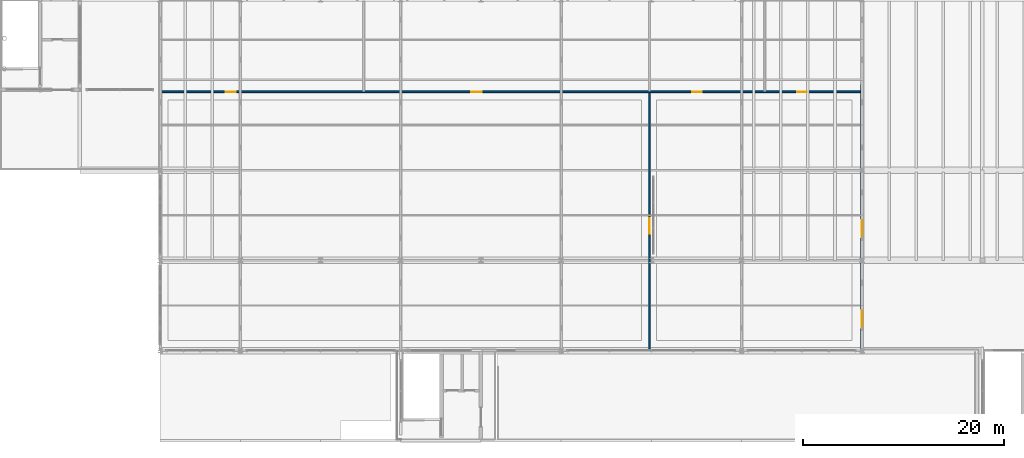
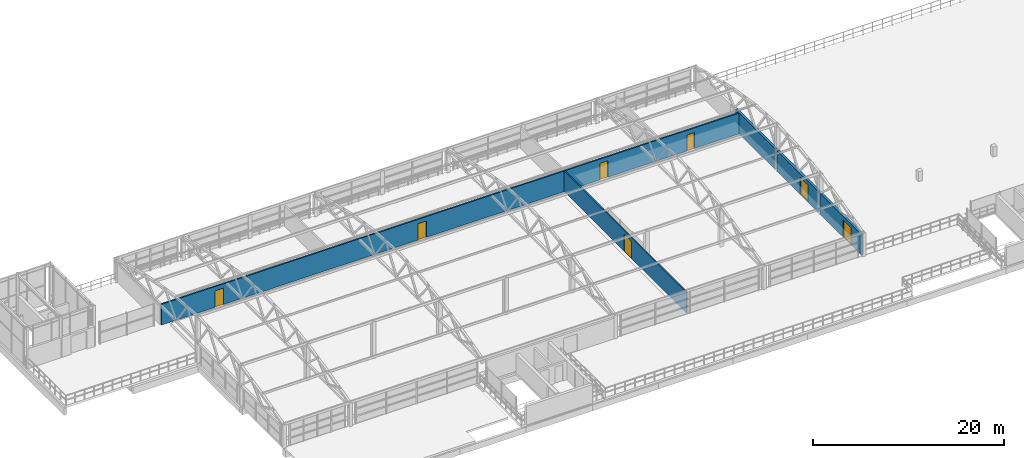
# One storey, part 38 of 50: 7 doors, 5 walls, 7 openings.
"""IFC4 building model written with IfcOpenShell, lengths in metres."""

from ifc_helpers import new_model, si_unit, derived_unit, direction, frame, frame_2d, origin, place, context, subcontext, project, spatial, rectangle, extrude, material, layer, layer_set, type_object, element, fill, save


model = new_model("IFC4")

# Units and contexts
model_context = context("Model", 3, precision=1e-05, world=origin(), true_north=direction((0.0, 1.0)))
body_context = subcontext(model_context, "Body", "Model", "MODEL_VIEW")
ifc_project = project(units=[si_unit("LENGTHUNIT", "METRE"), si_unit("AREAUNIT", "SQUARE_METRE"), si_unit("VOLUMEUNIT", "CUBIC_METRE"), si_unit("PLANEANGLEUNIT", "RADIAN"), si_unit("MASSUNIT", "GRAM", prefix="KILO"), si_unit("THERMODYNAMICTEMPERATUREUNIT", "KELVIN"), derived_unit("THERMALTRANSMITTANCEUNIT", [(si_unit("POWERUNIT", "WATT"), 1), (si_unit("AREAUNIT", "SQUARE_METRE"), -1), (si_unit("THERMODYNAMICTEMPERATUREUNIT", "KELVIN"), -1)])], contexts=[model_context])

# Site, building, storey
site_placement = place(None, origin())
site = spatial("IfcSite", under=ifc_project, at=site_placement, CompositionType="ELEMENT")
building_placement = place(site_placement, origin())
building = spatial("IfcBuilding", under=site, at=building_placement, Name="Haiyu Intermodal Mobility Hub", CompositionType="ELEMENT")
storey_placement = place(building_placement, frame((0.0, 0.0, 25.10009765625)))
storey = spatial("IfcBuildingStorey", under=building, at=storey_placement, Name="L06", CompositionType="ELEMENT", Elevation=25.10009765625)

# Wall, opening, door
ifc_material_1 = material(Name="Anodised aluminium 6063-T6", Category="aluminium")
ifc_layer_1 = layer(ifc_material_1, 0.280029296875)
ifc_layer_set_1 = layer_set([ifc_layer_1], Name="Anodised aluminium 6063-T6")
wall_type_1 = type_object("IfcWallType", Name="WAL-WE02", PredefinedType="STANDARD", material=ifc_layer_set_1)
wall_1_placement = place(storey_placement, frame((108.0, 113.18505859375, 0.0), z_axis=(0.0, 0.0, 1.0), x_axis=(0.0, 1.0, 0.0)))
wall_1 = element("IfcWall", 1, at=wall_1_placement, inside=storey, type_object=wall_type_1, Name="WAL-V3E-258", PredefinedType="STANDARD", context=body_context, shape_type="SweptSolid", body=[
    extrude(rectangle(XDim=8.60986328125, YDim=0.280029296875, at=frame_2d((4.304931640625, 0.0))), origin(), (0.0, 0.0, 1.0), 2.64990234375),
])
opening_1_placement = place(wall_1_placement, frame((2.094970703125, 0.0, 0.0)))
opening_1 = element("IfcOpeningElement", 2, at=opening_1_placement, cuts=wall_1, Name="Opening DE07", PredefinedType="OPENING", context=body_context, shape_type="SweptSolid", body=[
    extrude(rectangle(XDim=1.699951171875, YDim=2.199951171875, at=frame_2d((0.85009765625, 1.10009765625))), frame((0.0, 0.14990234375, 0.0), z_axis=(0.0, -1.0, 0.0), x_axis=(1.0, 0.0, 0.0)), (0.0, 0.0, 1.0), 0.300048828125),
])
door_type_1 = type_object("IfcDoorType", Name="DR-DE07", OperationType="DOUBLE_DOOR_SINGLE_SWING", PredefinedType="DOOR", material=ifc_material_1)
door_1_placement = place(opening_1_placement, origin())
door_1 = element("IfcDoor", 3, at=door_1_placement, inside=storey, type_object=door_type_1, Name="WAL-V3E-258-DR01", OperationType="DOUBLE_SWING_LEFT", OverallHeight=2.199951171875, OverallWidth=1.699951171875, PredefinedType="DOOR", context=body_context, shape_type="SweptSolid", body=[
    extrude(rectangle(XDim=1.699951171875, YDim=2.199951171875, at=frame_2d((0.85009765625, 1.10009765625))), frame((0.0, 0.02490234375, 0.0), z_axis=(0.0, -1.0, 0.0), x_axis=(1.0, 0.0, 0.0)), (0.0, 0.0, 1.0), 0.050048828125),
])
fill(opening_1, door_1)

wall_2_placement = place(storey_placement, frame((108.0, 122.205078125, 0.0), z_axis=(0.0, 0.0, 1.0), x_axis=(0.0, 1.0, 0.0)))
wall_2 = element("IfcWall", 4, at=wall_2_placement, inside=storey, type_object=wall_type_1, Name="WAL-V3E-259", PredefinedType="STANDARD", context=body_context, shape_type="SweptSolid", body=[
    extrude(rectangle(XDim=8.60986328125, YDim=0.280029296875, at=frame_2d((4.304931640625, 0.0))), origin(), (0.0, 0.0, 1.0), 2.64990234375),
])
opening_2_placement = place(wall_2_placement, frame((2.074951171875, 0.0, 0.0)))
opening_2 = element("IfcOpeningElement", 5, at=opening_2_placement, cuts=wall_2, Name="Opening DE07", PredefinedType="OPENING", context=body_context, shape_type="SweptSolid", body=[
    extrude(rectangle(XDim=1.699951171875, YDim=2.199951171875, at=frame_2d((0.85009765625, 1.10009765625))), frame((0.0, 0.14990234375, 0.0), z_axis=(0.0, -1.0, 0.0), x_axis=(1.0, 0.0, 0.0)), (0.0, 0.0, 1.0), 0.300048828125),
])
door_2_placement = place(opening_2_placement, origin())
door_2 = element("IfcDoor", 6, at=door_2_placement, inside=storey, type_object=door_type_1, Name="WAL-V3E-259-DR01", OperationType="DOUBLE_SWING_LEFT", OverallHeight=2.199951171875, OverallWidth=1.699951171875, PredefinedType="DOOR", context=body_context, shape_type="SweptSolid", body=[
    extrude(rectangle(XDim=1.699951171875, YDim=2.199951171875, at=frame_2d((0.85009765625, 1.10009765625))), frame((0.0, 0.02490234375, 0.0), z_axis=(0.0, -1.0, 0.0), x_axis=(1.0, 0.0, 0.0)), (0.0, 0.0, 1.0), 0.050048828125),
])
fill(opening_2, door_2)

# Wall
wall_3_placement = place(storey_placement, frame((108.0, 131.18505859375, 0.0), z_axis=(0.0, 0.0, 1.0), x_axis=(0.0, 1.0, 0.0)))
element("IfcWall", 7, at=wall_3_placement, inside=storey, type_object=wall_type_1, Name="WAL-V3E-260", PredefinedType="STANDARD", context=body_context, shape_type="SweptSolid", body=[
    extrude(rectangle(XDim=8.3349609375, YDim=0.280029296875, at=frame_2d((4.16748046875, 0.0))), origin(), (0.0, 0.0, 1.0), 2.64990234375),
])

# Wall, openings, doors
ifc_material_2 = material(Name="Autoclaved aerated concrete block A5.0", Category="concrete")
ifc_layer_2 = layer(ifc_material_2, 0.179931640625)
ifc_layer_set_2 = layer_set([ifc_layer_2], Name="Autoclaved aerated concrete block A5.0")
wall_type_2 = type_object("IfcWallType", Name="WAL-WI03", PredefinedType="PARTITIONING", material=ifc_layer_set_2)
wall_4_placement = place(storey_placement, frame((38.050048828125, 138.800048828125, 0.0), z_axis=(0.0, 0.0, 1.0), x_axis=(1.0, 0.0, 0.0)))
wall_4 = element("IfcWall", 8, at=wall_4_placement, inside=storey, type_object=wall_type_2, Name="WAL-INT-0046", PredefinedType="PARTITIONING", context=body_context, shape_type="SweptSolid", body=[
    extrude(rectangle(XDim=69.829833984375, YDim=0.179931640625, at=frame_2d((34.9150390625, 0.0))), origin(), (0.0, 0.0, 1.0), 2.64990234375),
])
opening_3_placement = place(wall_4_placement, frame((6.5, 0.0, 0.0)))
opening_3 = element("IfcOpeningElement", 9, at=opening_3_placement, cuts=wall_4, Name="Opening DI11", PredefinedType="OPENING", context=body_context, shape_type="SweptSolid", body=[
    extrude(rectangle(XDim=1.02001953125, YDim=2.10009765625, at=frame_2d((0.510009765625, 1.050048828125))), frame((0.0, 0.10009765625, 0.0), z_axis=(0.0, -1.0, 0.0), x_axis=(1.0, 0.0, 0.0)), (0.0, 0.0, 1.0), 0.199951171875),
])
opening_4_placement = place(wall_4_placement, frame((31.0, 0.0, 0.0)))
opening_4 = element("IfcOpeningElement", 10, at=opening_4_placement, cuts=wall_4, Name="Opening DI11", PredefinedType="OPENING", context=body_context, shape_type="SweptSolid", body=[
    extrude(rectangle(XDim=1.02001953125, YDim=2.10009765625, at=frame_2d((0.510009765625, 1.050048828125))), frame((0.0, 0.10009765625, 0.0), z_axis=(0.0, -1.0, 0.0), x_axis=(1.0, 0.0, 0.0)), (0.0, 0.0, 1.0), 0.199951171875),
])
opening_5_placement = place(wall_4_placement, frame((53.0, 0.0, 0.0)))
opening_5 = element("IfcOpeningElement", 11, at=opening_5_placement, cuts=wall_4, Name="Opening DI12", PredefinedType="OPENING", context=body_context, shape_type="SweptSolid", body=[
    extrude(rectangle(XDim=0.9599609375, YDim=2.10009765625, at=frame_2d((0.47998046875, 1.050048828125))), frame((0.0, 0.10009765625, 0.0), z_axis=(0.0, -1.0, 0.0), x_axis=(1.0, 0.0, 0.0)), (0.0, 0.0, 1.0), 0.199951171875),
])
opening_6_placement = place(wall_4_placement, frame((63.5, 0.0, 0.0)))
opening_6 = element("IfcOpeningElement", 12, at=opening_6_placement, cuts=wall_4, Name="Opening DI13", PredefinedType="OPENING", context=body_context, shape_type="SweptSolid", body=[
    extrude(rectangle(XDim=0.919921875, YDim=2.050048828125, at=frame_2d((0.4599609375, 1.02490234375))), frame((0.0, 0.10009765625, 0.0), z_axis=(0.0, -1.0, 0.0), x_axis=(1.0, 0.0, 0.0)), (0.0, 0.0, 1.0), 0.199951171875),
])
door_type_2 = type_object("IfcDoorType", Name="DR-DI11", OperationType="NOTDEFINED", PredefinedType="DOOR", material=ifc_material_1)
door_3_placement = place(opening_3_placement, origin())
door_3 = element("IfcDoor", 13, at=door_3_placement, inside=storey, type_object=door_type_2, Name="Female Changing Room Door", OperationType="SINGLE_SWING_LEFT", OverallHeight=2.10009765625, OverallWidth=1.02001953125, PredefinedType="DOOR", context=body_context, shape_type="SweptSolid", body=[
    extrude(rectangle(XDim=1.02001953125, YDim=2.10009765625, at=frame_2d((0.510009765625, 1.050048828125))), frame((0.0, 0.02490234375, 0.0), z_axis=(0.0, -1.0, 0.0), x_axis=(1.0, 0.0, 0.0)), (0.0, 0.0, 1.0), 0.050048828125),
])
fill(opening_3, door_3)
door_4_placement = place(opening_4_placement, origin())
door_4 = element("IfcDoor", 14, at=door_4_placement, inside=storey, type_object=door_type_2, Name="Male Changing Room Door", OperationType="SINGLE_SWING_RIGHT", OverallHeight=2.10009765625, OverallWidth=1.02001953125, PredefinedType="DOOR", context=body_context, shape_type="SweptSolid", body=[
    extrude(rectangle(XDim=1.02001953125, YDim=2.10009765625, at=frame_2d((0.510009765625, 1.050048828125))), frame((0.0, 0.02490234375, 0.0), z_axis=(0.0, -1.0, 0.0), x_axis=(1.0, 0.0, 0.0)), (0.0, 0.0, 1.0), 0.050048828125),
])
fill(opening_4, door_4)
door_type_3 = type_object("IfcDoorType", Name="DR-DI12", OperationType="NOTDEFINED", PredefinedType="DOOR", material=ifc_material_1)
door_5_placement = place(opening_5_placement, origin())
door_5 = element("IfcDoor", 15, at=door_5_placement, inside=storey, type_object=door_type_3, Name="Sports Equipment Store Door", OperationType="DOUBLE_SWING_LEFT", OverallHeight=2.10009765625, OverallWidth=0.9599609375, PredefinedType="DOOR", context=body_context, shape_type="SweptSolid", body=[
    extrude(rectangle(XDim=0.9599609375, YDim=2.10009765625, at=frame_2d((0.47998046875, 1.050048828125))), frame((0.0, 0.02490234375, 0.0), z_axis=(0.0, -1.0, 0.0), x_axis=(1.0, 0.0, 0.0)), (0.0, 0.0, 1.0), 0.050048828125),
])
fill(opening_5, door_5)
door_type_4 = type_object("IfcDoorType", Name="DR-DI13", OperationType="NOTDEFINED", PredefinedType="DOOR", material=ifc_material_1)
door_6_placement = place(opening_6_placement, origin())
door_6 = element("IfcDoor", 16, at=door_6_placement, inside=storey, type_object=door_type_4, Name="First-Aid Room Door", OperationType="SINGLE_SWING_RIGHT", OverallHeight=2.050048828125, OverallWidth=0.919921875, PredefinedType="DOOR", context=body_context, shape_type="SweptSolid", body=[
    extrude(rectangle(XDim=0.919921875, YDim=2.050048828125, at=frame_2d((0.4599609375, 1.02490234375))), frame((0.0, 0.02490234375, 0.0), z_axis=(0.0, -1.0, 0.0), x_axis=(1.0, 0.0, 0.0)), (0.0, 0.0, 1.0), 0.050048828125),
])
fill(opening_6, door_6)

# Wall, opening, door
ifc_material_3 = material(Name="Fire-rated gypsum and rockwool partition", Category="gypsum")
ifc_layer_3 = layer(ifc_material_3, 0.14990234375)
ifc_layer_set_3 = layer_set([ifc_layer_3], Name="Fire-rated gypsum and rockwool partition")
wall_type_3 = type_object("IfcWallType", Name="WAL-WI04", PredefinedType="PARTITIONING", material=ifc_layer_set_3)
wall_5_placement = place(storey_placement, frame((86.800048828125, 113.14990234375, 0.0), z_axis=(0.0, 0.0, 1.0), x_axis=(0.0, 1.0, 0.0)))
wall_5 = element("IfcWall", 17, at=wall_5_placement, inside=storey, type_object=wall_type_3, Name="WAL-INT-0045", PredefinedType="PARTITIONING", context=body_context, shape_type="SweptSolid", body=[
    extrude(rectangle(XDim=25.60009765625, YDim=0.14990234375, at=frame_2d((12.800048828125, 0.0))), origin(), (0.0, 0.0, 1.0), 2.64990234375),
])
opening_7_placement = place(wall_5_placement, frame((11.5, 0.0, 0.0)))
opening_7 = element("IfcOpeningElement", 18, at=opening_7_placement, cuts=wall_5, Name="Opening DI04", PredefinedType="OPENING", context=body_context, shape_type="SweptSolid", body=[
    extrude(rectangle(XDim=1.550048828125, YDim=2.199951171875, at=frame_2d((0.77490234375, 1.10009765625))), frame((0.0, 0.0849609375, 0.0), z_axis=(0.0, -1.0, 0.0), x_axis=(1.0, 0.0, 0.0)), (0.0, 0.0, 1.0), 0.169921875),
])
ifc_material_4 = material(Name="Steel Q355C", Category="steel")
door_type_5 = type_object("IfcDoorType", Name="DR-DI04", OperationType="DOUBLE_DOOR_SINGLE_SWING", PredefinedType="DOOR", material=ifc_material_4)
door_7_placement = place(opening_7_placement, origin())
door_7 = element("IfcDoor", 19, at=door_7_placement, inside=storey, type_object=door_type_5, Name="Badminton Hall Lounge Door", OperationType="DOUBLE_SWING_LEFT", OverallHeight=2.199951171875, OverallWidth=1.550048828125, PredefinedType="DOOR", context=body_context, shape_type="SweptSolid", body=[
    extrude(rectangle(XDim=1.550048828125, YDim=2.199951171875, at=frame_2d((0.77490234375, 1.10009765625))), frame((0.0, 0.02490234375, 0.0), z_axis=(0.0, -1.0, 0.0), x_axis=(1.0, 0.0, 0.0)), (0.0, 0.0, 1.0), 0.050048828125),
])
fill(opening_7, door_7)

save(model, "model.ifc")
